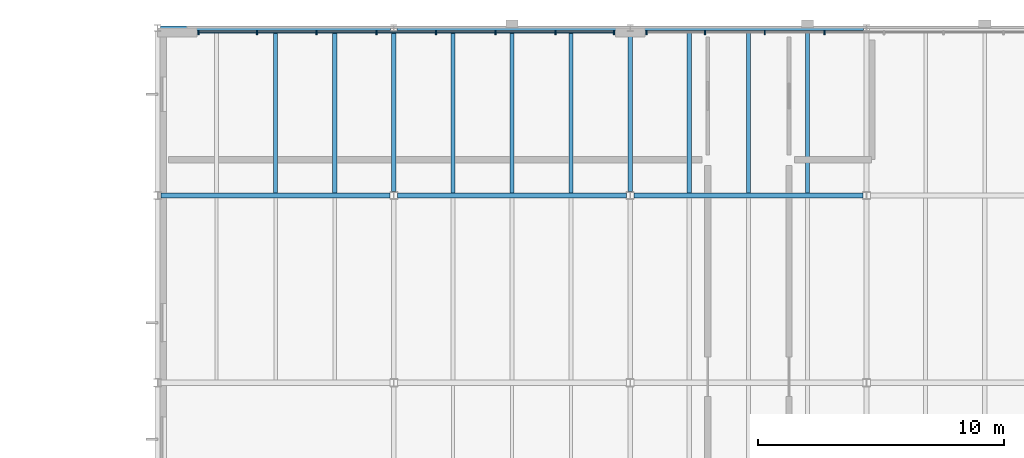
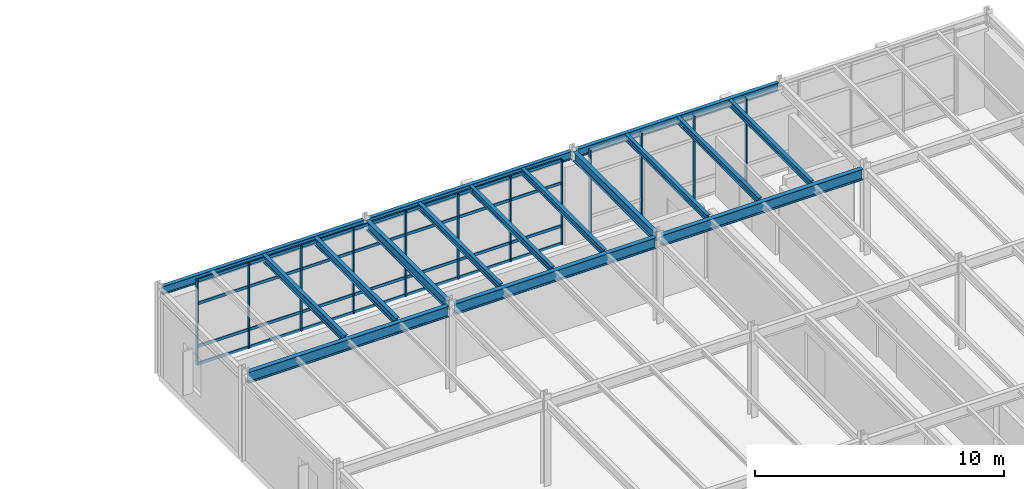
# One storey, part 27 of 69: 16 beams, 16 members, 2 elements without a shape of their own.
"""IFC4 building model written with IfcOpenShell, lengths in metres."""

import ifcopenshell
import ifcopenshell.guid

model = None  # the IFC model being written
_history = None  # IfcOwnerHistory: only IFC2X3 demands one
_inside = {}  # id of a spatial element -> (the spatial element, [elements in it])
_under = {}  # id of a project, library or spatial element -> (it, [spatial elements below it])
_declared = {}  # id of a project -> (the project, [libraries it declares])
_typed = {}  # id of a type object -> (the type object, [elements of that type])
_made_of = {}  # id of a material, layer set ... -> (it, [elements and type objects made of it])


def new_model(schema):
    """Start an empty IFC model of exactly this schema.

    Asked for "IFC4X3", IfcOpenShell would pick the latest addendum, in which some entities
    have other attributes; the version numbers below select the first issue.
    IFC2X3 requires an IfcOwnerHistory on every rooted entity: one is made here for all.
    """
    global model, _history
    if schema == "IFC4X3":
        model = ifcopenshell.file(schema_version=(4, 3, 0, 0))
    else:
        model = ifcopenshell.file(schema=schema)
    _inside.clear()
    _under.clear()
    _declared.clear()
    _typed.clear()
    _made_of.clear()
    _history = None
    if model.schema == "IFC2X3":
        org = make("IfcOrganization", Name="unknown")
        user = make(
            "IfcPersonAndOrganization",
            ThePerson=make("IfcPerson", FamilyName="unknown"),
            TheOrganization=org,
        )
        app = make(
            "IfcApplication",
            ApplicationDeveloper=org,
            Version="unknown",
            ApplicationFullName="unknown",
            ApplicationIdentifier="unknown",
        )
        _history = make(
            "IfcOwnerHistory",
            OwningUser=user,
            OwningApplication=app,
            ChangeAction="ADDED",
            CreationDate=0,
        )
    return model


def make(cls, **values):
    """One entity of the class cls with the attributes given. An attribute that is None is left unset."""
    return model.create_entity(
        cls, **{name: value for name, value in values.items() if value is not None}
    )


def rooted(cls, **values):
    """An entity with a GlobalId (a new one), such as an element, a storey or a relation."""
    return make(cls, GlobalId=ifcopenshell.guid.new(), OwnerHistory=_history, **values)


def si_unit(unit_type, name, prefix=None):
    """IfcSIUnit, for example si_unit("LENGTHUNIT", "METRE", prefix="MILLI")."""
    return make("IfcSIUnit", UnitType=unit_type, Prefix=prefix, Name=name)


def assignment(units):
    """IfcUnitAssignment: the units of a project."""
    return None if units is None else make("IfcUnitAssignment", Units=units)


def point(xyz):
    """IfcCartesianPoint."""
    return None if xyz is None else make("IfcCartesianPoint", Coordinates=xyz)


def direction(xyz):
    """IfcDirection."""
    return None if xyz is None else make("IfcDirection", DirectionRatios=xyz)


def frame(location, z_axis=None, x_axis=None):
    """IfcAxis2Placement3D, a coordinate frame: its origin and axes. An axis left out is left unset."""
    return make(
        "IfcAxis2Placement3D",
        Location=point(location),
        Axis=direction(z_axis),
        RefDirection=direction(x_axis),
    )


def frame_2d(location, x_axis=None):
    """IfcAxis2Placement2D, a coordinate frame in the plane: its origin and x axis."""
    return make(
        "IfcAxis2Placement2D", Location=point(location), RefDirection=direction(x_axis)
    )


def origin():
    """The frame at (0, 0, 0) with its axes left unset."""
    return frame((0.0, 0.0, 0.0))


def origin_2d():
    """The frame at (0, 0) in the plane with its x axis left unset."""
    return frame_2d((0.0, 0.0))


def place(relative_to, where):
    """IfcLocalPlacement: puts the frame where relative to a parent placement (None: the world)."""
    return make(
        "IfcLocalPlacement", PlacementRelTo=relative_to, RelativePlacement=where
    )


def context(
    kind, dimensions, precision=None, world=None, true_north=None, identifier=None
):
    """IfcGeometricRepresentationContext, for example the 3D "Model" context."""
    return make(
        "IfcGeometricRepresentationContext",
        ContextIdentifier=identifier,
        ContextType=kind,
        CoordinateSpaceDimension=dimensions,
        Precision=precision,
        WorldCoordinateSystem=world,
        TrueNorth=true_north,
    )


def subcontext(parent, identifier, kind, view, scale=None):
    """IfcGeometricRepresentationSubContext, for example "Body" below "Model"."""
    return make(
        "IfcGeometricRepresentationSubContext",
        ContextIdentifier=identifier,
        ContextType=kind,
        ParentContext=parent,
        TargetScale=scale,
        TargetView=view,
    )


def project(units=None, contexts=None):
    """IfcProject with its units and contexts."""
    return rooted(
        "IfcProject",
        Name="project",
        RepresentationContexts=contexts,
        UnitsInContext=assignment(units),
    )


def spatial(cls, under=None, at=None, **own):
    """A site, building, storey or space (cls), placed at a placement, below another one or the project."""
    s = rooted(cls, ObjectPlacement=at, **own)
    if under is not None:
        _under.setdefault(under.id(), (under, []))[1].append(s)
    return s


def profile(cls, at=None, kind="AREA", **sizes):
    """A parametric profile (cls). Its sizes go by their IFC names, for example OverallWidth=200.0."""
    return make(cls, ProfileType=kind, Position=at, **sizes)


def rectangle(**sizes):
    """IfcRectangleProfileDef."""
    return profile("IfcRectangleProfileDef", **sizes)


def i_section(**sizes):
    """IfcIShapeProfileDef."""
    return profile("IfcIShapeProfileDef", **sizes)


def extrude(swept, where, along, depth):
    """IfcExtrudedAreaSolid: the profile swept, set in the frame where, extruded along a direction by depth."""
    return make(
        "IfcExtrudedAreaSolid",
        SweptArea=swept,
        Position=where,
        ExtrudedDirection=direction(along),
        Depth=depth,
    )


def shape(context_of_items, identifier, shape_type, items):
    """IfcShapeRepresentation: the items that make up one representation, for example the "Body"."""
    return make(
        "IfcShapeRepresentation",
        ContextOfItems=context_of_items,
        RepresentationIdentifier=identifier,
        RepresentationType=shape_type,
        Items=items,
    )


def material(Name=None, Category=None):
    """IfcMaterial."""
    return make("IfcMaterial", Name=Name, Category=Category)


def material_profile(
    of_material, cross_section, Name=None, Category=None, Priority=None
):
    """IfcMaterialProfile: a cross section and its material."""
    return make(
        "IfcMaterialProfile",
        Name=Name,
        Material=of_material,
        Profile=cross_section,
        Priority=Priority,
        Category=Category,
    )


def profile_set(profiles, Name=None, composite=None):
    """IfcMaterialProfileSet."""
    return make(
        "IfcMaterialProfileSet",
        Name=Name,
        MaterialProfiles=profiles,
        CompositeProfile=composite,
    )


def made_of(thing, what):
    """Note that an element or type object is made of a material, layer set ...; save() writes the relation."""
    if what is not None:
        _made_of.setdefault(what.id(), (what, []))[1].append(thing)
    return thing


def type_object(cls, material=None, **own):
    """A type object (cls), such as IfcWallType, which elements share."""
    return made_of(rooted(cls, **own), material)


def element(
    cls,
    number,
    at=None,
    inside=None,
    cuts=None,
    type_object=None,
    material=None,
    context=None,
    identifier="Body",
    shape_type=None,
    held_by="IfcProductDefinitionShape",
    body=None,
    shapes=None,
    **own,
):
    """One element of the class cls, such as IfcWall. Its Tag is "e" and its number.

    at: its placement. inside: the storey or other place that contains it. cuts: it is an
    opening in that element (IfcRelVoidsElement). A single representation is given by context,
    identifier, shape_type and body (its items); several are given by shapes. held_by: the class
    of the entity that holds the representations. save() writes the other relations.
    """
    e = rooted(cls, Tag="e%d" % number, ObjectPlacement=at, **own)
    if body is not None:
        shapes = [shape(context, identifier, shape_type, body)]
    if shapes is not None:
        e.Representation = make(held_by, Representations=shapes)
    if inside is not None:
        _inside.setdefault(inside.id(), (inside, []))[1].append(e)
    if cuts is not None:
        rooted(
            "IfcRelVoidsElement", RelatingBuildingElement=cuts, RelatedOpeningElement=e
        )
    if type_object is not None:
        _typed.setdefault(type_object.id(), (type_object, []))[1].append(e)
    return made_of(e, material)


def aggregate(whole, parts):
    """IfcRelAggregates: a whole, such as a stair, and the parts it consists of."""
    return rooted("IfcRelAggregates", RelatingObject=whole, RelatedObjects=parts)


def save(model, path):
    """Write the relations noted so far, then the file.

    IfcRelAggregates (storeys below a building ...), IfcRelContainedInSpatialStructure (elements
    in a storey), IfcRelDefinesByType, IfcRelAssociatesMaterial and IfcRelDeclares: one each for
    every whole, place, type object, material and project.
    """
    for whole, parts in _under.values():
        aggregate(whole, parts)
    for where, things in _inside.values():
        rooted(
            "IfcRelContainedInSpatialStructure",
            RelatedElements=things,
            RelatingStructure=where,
        )
    for kind, things in _typed.values():
        rooted("IfcRelDefinesByType", RelatedObjects=things, RelatingType=kind)
    for what, things in _made_of.values():
        rooted("IfcRelAssociatesMaterial", RelatedObjects=things, RelatingMaterial=what)
    for by, libraries in _declared.values():
        rooted("IfcRelDeclares", RelatingContext=by, RelatedDefinitions=libraries)
    model.write(path)


model = new_model("IFC4")

# Units and contexts
model_context = context("Model", 3, precision=1e-05, world=origin(), true_north=direction((0.0, 1.0)))
body_context = subcontext(model_context, "Body", "Model", "MODEL_VIEW")
ifc_project = project(units=[si_unit("LENGTHUNIT", "METRE"), si_unit("AREAUNIT", "SQUARE_METRE"), si_unit("VOLUMEUNIT", "CUBIC_METRE"), si_unit("PLANEANGLEUNIT", "RADIAN"), si_unit("MASSUNIT", "GRAM", prefix="KILO")], contexts=[model_context])

# Site, building, storey
site_placement = place(None, origin())
site = spatial("IfcSite", under=ifc_project, at=site_placement, CompositionType="ELEMENT")
building_placement = place(site_placement, origin())
building = spatial("IfcBuilding", under=site, at=building_placement, Name="Sarnbrook Museum", CompositionType="ELEMENT")
storey_placement = place(building_placement, frame((0.0, 0.0, 14.60009765625)))
storey = spatial("IfcBuildingStorey", under=building, at=storey_placement, Name="L03", CompositionType="ELEMENT", Elevation=14.60009765625)

# Beams
ifc_material_1 = material(Name="Structural Steel Grade 300PLUS (AS/NZS 3679.1, fy = 280 MPa for 17 < t <= 40 mm, 300 MPa for t <= 17 mm)", Category="steel")
ifc_material_profile_1 = material_profile(ifc_material_1, i_section(OverallWidth=0.18994140625, OverallDepth=0.45703125, WebThickness=0.009033203125, FlangeThickness=0.014404296875, FilletRadius=0.011474609375, at=origin_2d()), Name="460UB74.6")
ifc_profile_set_1 = profile_set([ifc_material_profile_1], Name="Structural Steel Grade 300PLUS (AS/NZS 3679.1, fy = 280 MPa for 17 < t <= 40 mm, 300 MPa for t <= 17 mm)")
beam_type_1 = type_object("IfcBeamType", Name="BM-UB460", PredefinedType="BEAM", material=ifc_profile_set_1)
for number, where, z_axis, x_axis, name in (
    (1, (52.0, 108.5576171875, 4.0615234375), (0.0, 1.0, 0.0), (-1.0, 0.0, 0.0), "Girder 6:N-P L03"),
    (2, (61.60009765625, 108.5576171875, 4.0615234375), (0.0, 1.0, 0.0), (-1.0, 0.0, 0.0), "Girder 7:N-P L03"),
):
    element("IfcBeam", number, at=place(storey_placement, frame(where, z_axis=z_axis, x_axis=x_axis)), inside=storey, type_object=beam_type_1, Name=name, PredefinedType="BEAM", context=body_context, shape_type="SweptSolid", body=[
        extrude(i_section(OverallWidth=0.18994140625, OverallDepth=0.45703125, WebThickness=0.009033203125, FlangeThickness=0.014404296875, FilletRadius=0.011474609375, at=origin_2d()), origin(), (0.0, 0.0, 1.0), 6.515380859375),
    ])
ifc_material_profile_2 = material_profile(ifc_material_1, i_section(OverallWidth=0.208984375, OverallDepth=0.532958984375, WebThickness=0.01025390625, FlangeThickness=0.015625, FilletRadius=0.013916015625, at=origin_2d()), Name="530UB92.4")
ifc_profile_set_2 = profile_set([ifc_material_profile_2], Name="Structural Steel Grade 300PLUS (AS/NZS 3679.1, fy = 280 MPa for 17 < t <= 40 mm, 300 MPa for t <= 17 mm)")
beam_type_2 = type_object("IfcBeamType", Name="BM-UB530", PredefinedType="BEAM", material=ifc_profile_set_2)
for number, where, z_axis, x_axis, name in (
    (3, (42.553466796875, 108.39990234375, 3.943359375), (1.0, 0.0, 0.0), (0.0, 1.0, 0.0), "Girder N:5-6 L03"),
    (4, (52.153564453125, 108.39990234375, 3.943359375), (1.0, 0.0, 0.0), (0.0, 1.0, 0.0), "Girder N:6-7 L03"),
    (5, (61.75341796875, 108.39990234375, 3.943359375), (1.0, 0.0, 0.0), (0.0, 1.0, 0.0), "Girder N:7-8 L03"),
):
    element("IfcBeam", number, at=place(storey_placement, frame(where, z_axis=z_axis, x_axis=x_axis)), inside=storey, type_object=beam_type_2, Name=name, PredefinedType="BEAM", context=body_context, shape_type="SweptSolid", body=[
        extrude(i_section(OverallWidth=0.208984375, OverallDepth=0.532958984375, WebThickness=0.01025390625, FlangeThickness=0.015625, FilletRadius=0.013916015625, at=origin_2d()), origin(), (0.0, 0.0, 1.0), 9.29296875),
    ])

# Curtain wall, members
ifc_material_2 = material(Name="Thermally Broken Anodised Aluminium 6063-T6", Category="aluminium")
curtain_wall_type = type_object("IfcCurtainWallType", Name="CurtainWall_GalleryRibbon", PredefinedType="NOTDEFINED", material=ifc_material_2)
curtain_wall_1_placement = place(storey_placement, origin())
curtain_wall_1 = element("IfcCurtainWall", 6, at=curtain_wall_1_placement, inside=storey, type_object=curtain_wall_type, Name="Gallery Ribbon Curtain Wall L03-8.1", PredefinedType="NOTDEFINED")
ifc_material_profile_3 = material_profile(ifc_material_2, rectangle(XDim=0.06005859375, YDim=0.159912109375, at=origin_2d()), Name="ALU MULLION 60x160")
ifc_profile_set_3 = profile_set([ifc_material_profile_3], Name="Thermally Broken Anodised Aluminium 6063-T6")
member_type_1 = type_object("IfcMemberType", Name="CW_Mullion_150x65", PredefinedType="MULLION", material=ifc_profile_set_3)
member_1_placement = place(storey_placement, frame((69.488525390625, 115.02001953125, 0.0), z_axis=(0.0, 0.0, 1.0), x_axis=(1.0, 0.0, 0.0)))
member_1 = element("IfcMember", 7, at=member_1_placement, type_object=member_type_1, Name="Gallery Ribbon Curtain Wall L03-8.1 Mullion 5", PredefinedType="MULLION", context=body_context, shape_type="SweptSolid", body=[
    extrude(rectangle(XDim=0.06005859375, YDim=0.159912109375, at=origin_2d()), origin(), (0.0, 0.0, 1.0), 4.159912109375),
])
member_2_placement = place(storey_placement, frame((67.065673828125, 115.02001953125, 0.0), z_axis=(0.0, 0.0, 1.0), x_axis=(1.0, 0.0, 0.0)))
member_2 = element("IfcMember", 8, at=member_2_placement, type_object=member_type_1, Name="Gallery Ribbon Curtain Wall L03-8.1 Mullion 6", PredefinedType="MULLION", context=body_context, shape_type="SweptSolid", body=[
    extrude(rectangle(XDim=0.06005859375, YDim=0.159912109375, at=origin_2d()), origin(), (0.0, 0.0, 1.0), 4.159912109375),
])
member_3_placement = place(storey_placement, frame((64.642822265625, 115.02001953125, 0.0), z_axis=(0.0, 0.0, 1.0), x_axis=(1.0, 0.0, 0.0)))
member_3 = element("IfcMember", 9, at=member_3_placement, type_object=member_type_1, Name="Gallery Ribbon Curtain Wall L03-8.1 Mullion 7", PredefinedType="MULLION", context=body_context, shape_type="SweptSolid", body=[
    extrude(rectangle(XDim=0.06005859375, YDim=0.159912109375, at=origin_2d()), origin(), (0.0, 0.0, 1.0), 4.159912109375),
])
member_4_placement = place(storey_placement, frame((62.260009765625, 115.02001953125, 0.0), z_axis=(0.0, 0.0, 1.0), x_axis=(1.0, 0.0, 0.0)))
member_4 = element("IfcMember", 10, at=member_4_placement, type_object=member_type_1, Name="Gallery Ribbon Curtain Wall L03-8.1 Mullion 8", PredefinedType="MULLION", context=body_context, shape_type="SweptSolid", body=[
    extrude(rectangle(XDim=0.06005859375, YDim=0.159912109375, at=origin_2d()), origin(), (0.0, 0.0, 1.0), 4.159912109375),
])
aggregate(curtain_wall_1, [member_1, member_2, member_3, member_4])

curtain_wall_2_placement = place(storey_placement, origin())
curtain_wall_2 = element("IfcCurtainWall", 11, at=curtain_wall_2_placement, inside=storey, type_object=curtain_wall_type, Name="Gallery Ribbon Curtain Wall L03-8.2", PredefinedType="NOTDEFINED")
member_5_placement = place(storey_placement, frame((60.93994140625, 115.02001953125, 0.0), z_axis=(0.0, 0.0, 1.0), x_axis=(1.0, 0.0, 0.0)))
member_5 = element("IfcMember", 12, at=member_5_placement, type_object=member_type_1, Name="Gallery Ribbon Curtain Wall L03-8.2 Mullion 1", PredefinedType="MULLION", context=body_context, shape_type="SweptSolid", body=[
    extrude(rectangle(XDim=0.06005859375, YDim=0.159912109375, at=origin_2d()), origin(), (0.0, 0.0, 1.0), 4.159912109375),
])
member_6_placement = place(storey_placement, frame((58.55712890625, 115.02001953125, 0.0), z_axis=(0.0, 0.0, 1.0), x_axis=(1.0, 0.0, 0.0)))
member_6 = element("IfcMember", 13, at=member_6_placement, type_object=member_type_1, Name="Gallery Ribbon Curtain Wall L03-8.2 Mullion 2", PredefinedType="MULLION", context=body_context, shape_type="SweptSolid", body=[
    extrude(rectangle(XDim=0.06005859375, YDim=0.159912109375, at=origin_2d()), origin(), (0.0, 0.0, 1.0), 4.159912109375),
])
member_7_placement = place(storey_placement, frame((56.13427734375, 115.02001953125, 0.0), z_axis=(0.0, 0.0, 1.0), x_axis=(1.0, 0.0, 0.0)))
member_7 = element("IfcMember", 14, at=member_7_placement, type_object=member_type_1, Name="Gallery Ribbon Curtain Wall L03-8.2 Mullion 3", PredefinedType="MULLION", context=body_context, shape_type="SweptSolid", body=[
    extrude(rectangle(XDim=0.06005859375, YDim=0.159912109375, at=origin_2d()), origin(), (0.0, 0.0, 1.0), 4.159912109375),
])
member_8_placement = place(storey_placement, frame((53.71142578125, 115.02001953125, 0.0), z_axis=(0.0, 0.0, 1.0), x_axis=(1.0, 0.0, 0.0)))
member_8 = element("IfcMember", 15, at=member_8_placement, type_object=member_type_1, Name="Gallery Ribbon Curtain Wall L03-8.2 Mullion 4", PredefinedType="MULLION", context=body_context, shape_type="SweptSolid", body=[
    extrude(rectangle(XDim=0.06005859375, YDim=0.159912109375, at=origin_2d()), origin(), (0.0, 0.0, 1.0), 4.159912109375),
])
member_9_placement = place(storey_placement, frame((51.28857421875, 115.02001953125, 0.0), z_axis=(0.0, 0.0, 1.0), x_axis=(1.0, 0.0, 0.0)))
member_9 = element("IfcMember", 16, at=member_9_placement, type_object=member_type_1, Name="Gallery Ribbon Curtain Wall L03-8.2 Mullion 5", PredefinedType="MULLION", context=body_context, shape_type="SweptSolid", body=[
    extrude(rectangle(XDim=0.06005859375, YDim=0.159912109375, at=origin_2d()), origin(), (0.0, 0.0, 1.0), 4.159912109375),
])
member_10_placement = place(storey_placement, frame((48.86572265625, 115.02001953125, 0.0), z_axis=(0.0, 0.0, 1.0), x_axis=(1.0, 0.0, 0.0)))
member_10 = element("IfcMember", 17, at=member_10_placement, type_object=member_type_1, Name="Gallery Ribbon Curtain Wall L03-8.2 Mullion 6", PredefinedType="MULLION", context=body_context, shape_type="SweptSolid", body=[
    extrude(rectangle(XDim=0.06005859375, YDim=0.159912109375, at=origin_2d()), origin(), (0.0, 0.0, 1.0), 4.159912109375),
])
member_11_placement = place(storey_placement, frame((46.44287109375, 115.02001953125, 0.0), z_axis=(0.0, 0.0, 1.0), x_axis=(1.0, 0.0, 0.0)))
member_11 = element("IfcMember", 18, at=member_11_placement, type_object=member_type_1, Name="Gallery Ribbon Curtain Wall L03-8.2 Mullion 7", PredefinedType="MULLION", context=body_context, shape_type="SweptSolid", body=[
    extrude(rectangle(XDim=0.06005859375, YDim=0.159912109375, at=origin_2d()), origin(), (0.0, 0.0, 1.0), 4.159912109375),
])
member_12_placement = place(storey_placement, frame((44.06005859375, 115.02001953125, 0.0), z_axis=(0.0, 0.0, 1.0), x_axis=(1.0, 0.0, 0.0)))
member_12 = element("IfcMember", 19, at=member_12_placement, type_object=member_type_1, Name="Gallery Ribbon Curtain Wall L03-8.2 Mullion 8", PredefinedType="MULLION", context=body_context, shape_type="SweptSolid", body=[
    extrude(rectangle(XDim=0.06005859375, YDim=0.159912109375, at=origin_2d()), origin(), (0.0, 0.0, 1.0), 4.159912109375),
])
ifc_material_profile_4 = material_profile(ifc_material_2, rectangle(XDim=0.06494140625, YDim=0.139892578125, at=origin_2d()), Name="ALU TRANSOM 65x140")
ifc_profile_set_4 = profile_set([ifc_material_profile_4], Name="Thermally Broken Anodised Aluminium 6063-T6")
member_type_2 = type_object("IfcMemberType", Name="CW_Transom_150x65", PredefinedType="USERDEFINED", material=ifc_profile_set_4)
member_13_placement = place(storey_placement, frame((60.929931640625, 115.02001953125, 0.039794921875), z_axis=(-1.0, 0.0, 0.0), x_axis=(0.0, -1.0, 0.0)))
member_13 = element("IfcMember", 20, at=member_13_placement, type_object=member_type_2, Name="Gallery Ribbon Curtain Wall L03-8.2 Transom 1", ObjectType="TRANSOM", PredefinedType="USERDEFINED", context=body_context, shape_type="SweptSolid", body=[
    extrude(rectangle(XDim=0.06494140625, YDim=0.139892578125, at=origin_2d()), origin(), (0.0, 0.0, 1.0), 16.85986328125),
])
member_14_placement = place(storey_placement, frame((60.929931640625, 115.02001953125, 0.89990234375), z_axis=(-1.0, 0.0, 0.0), x_axis=(0.0, -1.0, 0.0)))
member_14 = element("IfcMember", 21, at=member_14_placement, type_object=member_type_2, Name="Gallery Ribbon Curtain Wall L03-8.2 Transom 2", ObjectType="TRANSOM", PredefinedType="USERDEFINED", context=body_context, shape_type="SweptSolid", body=[
    extrude(rectangle(XDim=0.06494140625, YDim=0.139892578125, at=origin_2d()), origin(), (0.0, 0.0, 1.0), 16.85986328125),
])
member_15_placement = place(storey_placement, frame((60.929931640625, 115.02001953125, 3.0), z_axis=(-1.0, 0.0, 0.0), x_axis=(0.0, -1.0, 0.0)))
member_15 = element("IfcMember", 22, at=member_15_placement, type_object=member_type_2, Name="Gallery Ribbon Curtain Wall L03-8.2 Transom 3", ObjectType="TRANSOM", PredefinedType="USERDEFINED", context=body_context, shape_type="SweptSolid", body=[
    extrude(rectangle(XDim=0.06494140625, YDim=0.139892578125, at=origin_2d()), origin(), (0.0, 0.0, 1.0), 16.85986328125),
])
member_16_placement = place(storey_placement, frame((60.929931640625, 115.02001953125, 4.119873046875), z_axis=(-1.0, 0.0, 0.0), x_axis=(0.0, -1.0, 0.0)))
member_16 = element("IfcMember", 23, at=member_16_placement, type_object=member_type_2, Name="Gallery Ribbon Curtain Wall L03-8.2 Transom 4", ObjectType="TRANSOM", PredefinedType="USERDEFINED", context=body_context, shape_type="SweptSolid", body=[
    extrude(rectangle(XDim=0.06494140625, YDim=0.139892578125, at=origin_2d()), origin(), (0.0, 0.0, 1.0), 16.85986328125),
])
aggregate(curtain_wall_2, [member_5, member_6, member_7, member_8, member_9, member_10, member_11, member_12, member_13, member_14, member_15, member_16])

# Beams
ifc_material_profile_5 = material_profile(ifc_material_1, i_section(OverallWidth=0.1650390625, OverallDepth=0.303955078125, WebThickness=0.006103515625, FlangeThickness=0.01025390625, FilletRadius=0.011474609375, at=origin_2d()), Name="310UB40.4")
ifc_profile_set_5 = profile_set([ifc_material_profile_5], Name="Structural Steel Grade 300PLUS (AS/NZS 3679.1, fy = 280 MPa for 17 < t <= 40 mm, 300 MPa for t <= 17 mm)")
beam_type_3 = type_object("IfcBeamType", Name="JS-UB310", PredefinedType="JOIST", material=ifc_profile_set_5)
for number, where, z_axis, x_axis, name in (
    (24, (64.0, 108.50439453125, 4.137939453125), (0.0, 1.0, 0.0), (-1.0, 0.0, 0.0), "Composite Floor Joist 7N-1 L03"),
    (25, (66.39990234375, 108.50439453125, 4.137939453125), (0.0, 1.0, 0.0), (-1.0, 0.0, 0.0), "Composite Floor Joist 7N-2 L03"),
    (26, (68.800048828125, 108.50439453125, 4.137939453125), (0.0, 1.0, 0.0), (-1.0, 0.0, 0.0), "Composite Floor Joist 7N-3 L03"),
):
    element("IfcBeam", number, at=place(storey_placement, frame(where, z_axis=z_axis, x_axis=x_axis)), inside=storey, type_object=beam_type_3, Name=name, PredefinedType="JOIST", context=body_context, shape_type="SweptSolid", body=[
        extrude(i_section(OverallWidth=0.1650390625, OverallDepth=0.303955078125, WebThickness=0.006103515625, FlangeThickness=0.01025390625, FilletRadius=0.011474609375, at=origin_2d()), origin(), (0.0, 0.0, 1.0), 6.606689453125),
    ])
ifc_material_profile_6 = material_profile(ifc_material_1, i_section(OverallWidth=0.166015625, OverallDepth=0.306884765625, WebThickness=0.006591796875, FlangeThickness=0.01171875, FilletRadius=0.011474609375, at=origin_2d()), Name="310UB46.2")
ifc_profile_set_6 = profile_set([ifc_material_profile_6], Name="Structural Steel Grade 300PLUS (AS/NZS 3679.1, fy = 280 MPa for 17 < t <= 40 mm, 300 MPa for t <= 17 mm)")
beam_type_4 = type_object("IfcBeamType", Name="JS-UB310H", PredefinedType="JOIST", material=ifc_profile_set_6)
for number, where, z_axis, x_axis, name in (
    (27, (54.39990234375, 108.50439453125, 4.136474609375), (0.0, 1.0, 0.0), (-1.0, 0.0, 0.0), "Composite Floor Joist 6N-1 L03"),
    (28, (56.800048828125, 108.50439453125, 4.136474609375), (0.0, 1.0, 0.0), (-1.0, 0.0, 0.0), "Composite Floor Joist 6N-2 L03"),
    (29, (59.199951171875, 108.50439453125, 4.136474609375), (0.0, 1.0, 0.0), (-1.0, 0.0, 0.0), "Composite Floor Joist 6N-3 L03"),
):
    element("IfcBeam", number, at=place(storey_placement, frame(where, z_axis=z_axis, x_axis=x_axis)), inside=storey, type_object=beam_type_4, Name=name, PredefinedType="JOIST", context=body_context, shape_type="SweptSolid", body=[
        extrude(i_section(OverallWidth=0.166015625, OverallDepth=0.306884765625, WebThickness=0.006591796875, FlangeThickness=0.01171875, FilletRadius=0.011474609375, at=origin_2d()), origin(), (0.0, 0.0, 1.0), 6.606689453125),
    ])
ifc_material_profile_7 = material_profile(ifc_material_1, i_section(OverallWidth=0.1708984375, OverallDepth=0.35595703125, WebThickness=0.00732421875, FlangeThickness=0.011474609375, FilletRadius=0.011474609375, at=origin_2d()), Name="360UB50.7")
ifc_profile_set_7 = profile_set([ifc_material_profile_7], Name="Structural Steel Grade 300PLUS (AS/NZS 3679.1, fy = 280 MPa for 17 < t <= 40 mm, 300 MPa for t <= 17 mm)")
beam_type_5 = type_object("IfcBeamType", Name="JS-UB360", PredefinedType="JOIST", material=ifc_profile_set_7)
for number, where, z_axis, x_axis, name in (
    (30, (47.199951171875, 108.50439453125, 4.11181640625), (0.0, 1.0, 0.0), (-1.0, 0.0, 0.0), "Composite Floor Joist 5N-2 L03"),
    (31, (49.60009765625, 108.50439453125, 4.11181640625), (0.0, 1.0, 0.0), (-1.0, 0.0, 0.0), "Composite Floor Joist 5N-3 L03"),
):
    element("IfcBeam", number, at=place(storey_placement, frame(where, z_axis=z_axis, x_axis=x_axis)), inside=storey, type_object=beam_type_5, Name=name, PredefinedType="JOIST", context=body_context, shape_type="SweptSolid", body=[
        extrude(i_section(OverallWidth=0.1708984375, OverallDepth=0.35595703125, WebThickness=0.00732421875, FlangeThickness=0.011474609375, FilletRadius=0.011474609375, at=origin_2d()), origin(), (0.0, 0.0, 1.0), 6.606689453125),
    ])
ifc_material_profile_8 = material_profile(ifc_material_1, i_section(OverallWidth=0.177978515625, OverallDepth=0.406005859375, WebThickness=0.0078125, FlangeThickness=0.0126953125, FilletRadius=0.011474609375, at=origin_2d()), Name="410UB59.7")
ifc_profile_set_8 = profile_set([ifc_material_profile_8], Name="Structural Steel Grade 300PLUS (AS/NZS 3679.1, fy = 280 MPa for 17 < t <= 40 mm, 300 MPa for t <= 17 mm)")
beam_type_6 = type_object("IfcBeamType", Name="SP-UB410", PredefinedType="SPANDREL", material=ifc_profile_set_8)
for number, where, z_axis, x_axis, name in (
    (32, (42.527099609375, 115.199951171875, 4.0869140625), (1.0, 0.0, 0.0), (0.0, 1.0, 0.0), "Girder P:5-6 L03"),
    (33, (52.126953125, 115.199951171875, 4.0869140625), (1.0, 0.0, 0.0), (0.0, 1.0, 0.0), "Girder P:6-7 L03"),
    (34, (61.72705078125, 115.199951171875, 4.0869140625), (1.0, 0.0, 0.0), (0.0, 1.0, 0.0), "Girder P:7-8 L03"),
):
    element("IfcBeam", number, at=place(storey_placement, frame(where, z_axis=z_axis, x_axis=x_axis)), inside=storey, type_object=beam_type_6, Name=name, PredefinedType="SPANDREL", context=body_context, shape_type="SweptSolid", body=[
        extrude(i_section(OverallWidth=0.177978515625, OverallDepth=0.406005859375, WebThickness=0.0078125, FlangeThickness=0.0126953125, FilletRadius=0.011474609375, at=origin_2d()), origin(), (0.0, 0.0, 1.0), 9.345947265625),
    ])

save(model, "model.ifc")
